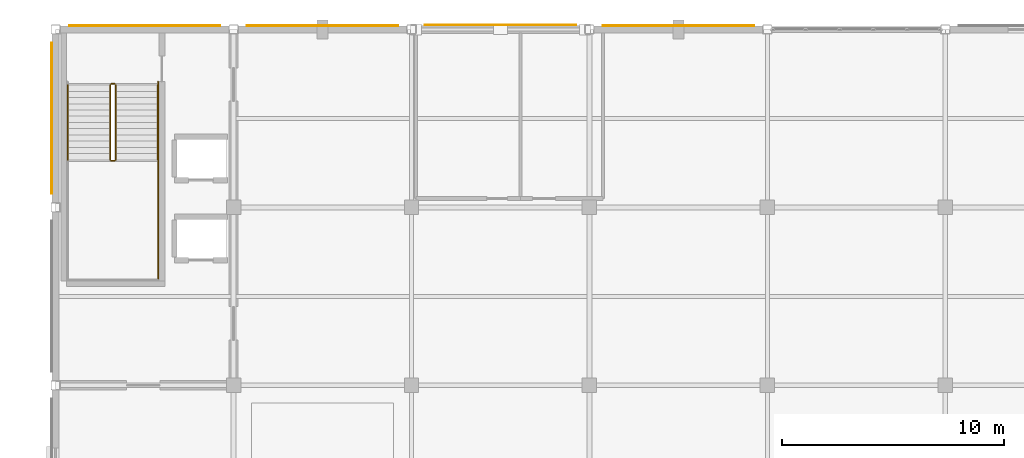
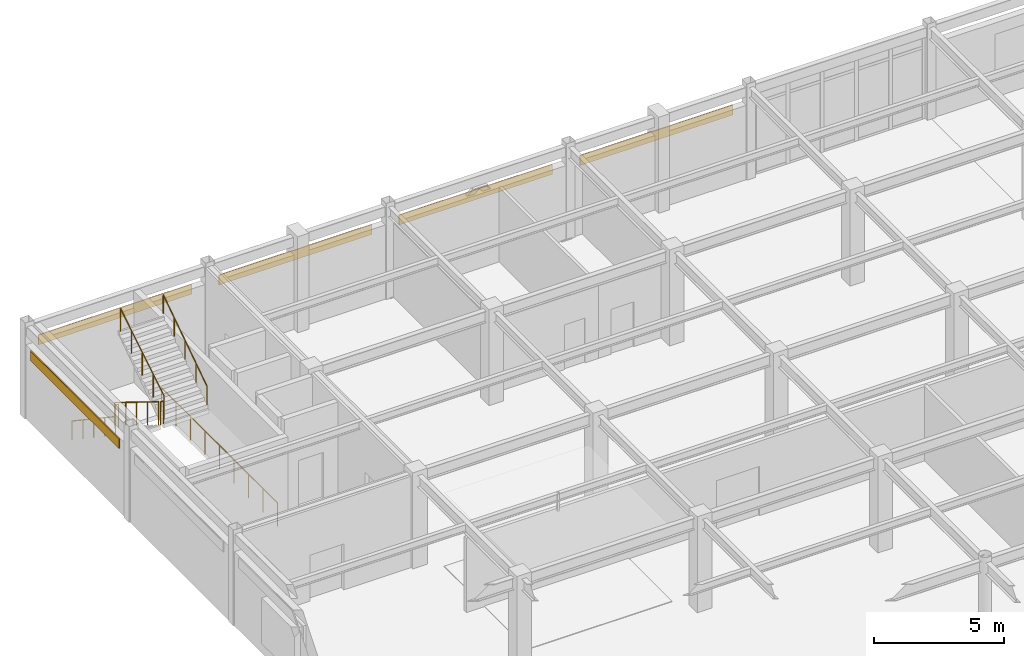
# One storey, part 105 of 111: 7 railings, 5 coverings.
"""IFC4 building model written with IfcOpenShell, lengths in metres."""

from ifc_helpers import new_model, si_unit, direction, frame, origin, origin_2d, place, context, subcontext, project, spatial, rectangle, circle, extrude, material, layer, layer_set, type_object, element, save


model = new_model("IFC4")

# Units and contexts
model_context = context("Model", 3, precision=1e-05, world=origin(), true_north=direction((0.0, 1.0)))
body_context = subcontext(model_context, "Body", "Model", "MODEL_VIEW")
ifc_project = project(units=[si_unit("LENGTHUNIT", "METRE"), si_unit("AREAUNIT", "SQUARE_METRE"), si_unit("VOLUMEUNIT", "CUBIC_METRE"), si_unit("PLANEANGLEUNIT", "RADIAN"), si_unit("MASSUNIT", "GRAM", prefix="KILO")], contexts=[model_context])

# Site, building, storey
site_placement = place(None, origin())
site = spatial("IfcSite", under=ifc_project, at=site_placement, CompositionType="ELEMENT")
building_placement = place(site_placement, origin())
building = spatial("IfcBuilding", under=site, at=building_placement, Name="Solmirada Galleria", CompositionType="ELEMENT")
storey_placement = place(building_placement, frame((0.0, 0.0, 10.39990234375)))
storey = spatial("IfcBuildingStorey", under=building, at=storey_placement, Name="L02", CompositionType="ELEMENT", Elevation=10.39990234375)

# Coverings
ifc_material_1 = material(Name="Limestone cladding panels", Category="masonry")
ifc_layer_1 = layer(ifc_material_1, 0.044921875)
ifc_layer_set_1 = layer_set([ifc_layer_1], Name="Limestone cladding panels")
covering_type_1 = type_object("IfcCoveringType", Name="COV-CLAD-LIME", PredefinedType="CLADDING", material=ifc_layer_set_1)
for number, where, z_axis, x_axis, name in (
    (1, (39.822509765625, 116.0, 2.990234375), (0.0, 0.0, 1.0), (0.0, 1.0, 0.0), "Postmodern facade cladding L02-148"),
    (2, (52.0, 120.177490234375, 2.990234375), (0.0, 0.0, 1.0), (1.0, 0.0, 0.0), "Postmodern facade cladding L02-150"),
    (3, (68.0, 120.177490234375, 2.990234375), (0.0, 0.0, 1.0), (1.0, 0.0, 0.0), "Postmodern facade cladding L02-152"),
):
    element("IfcCovering", number, at=place(storey_placement, frame(where, z_axis=z_axis, x_axis=x_axis)), inside=storey, type_object=covering_type_1, Name=name, PredefinedType="CLADDING", context=body_context, shape_type="SweptSolid", body=[
        extrude(rectangle(XDim=6.7939453125, YDim=0.044921875, at=origin_2d()), origin(), (0.0, 0.0, 1.0), 0.4599609375),
    ])
ifc_material_2 = material(Name="Glazed terracotta facade panels", Category="masonry")
ifc_layer_2 = layer(ifc_material_2, 0.0400390625)
ifc_layer_set_2 = layer_set([ifc_layer_2], Name="Glazed terracotta facade panels")
covering_type_2 = type_object("IfcCoveringType", Name="COV-CLAD-TERRA", PredefinedType="CLADDING", material=ifc_layer_set_2)
for number, where, z_axis, x_axis, name in (
    (4, (44.0, 120.175048828125, 2.990234375), (0.0, 0.0, 1.0), (1.0, 0.0, 0.0), "Postmodern facade cladding L02-149"),
    (5, (60.0, 120.199951171875, 2.990234375), (0.0, 0.0, 1.0), (1.0, 0.0, 0.0), "Postmodern facade cladding L02-151"),
):
    element("IfcCovering", number, at=place(storey_placement, frame(where, z_axis=z_axis, x_axis=x_axis)), inside=storey, type_object=covering_type_2, Name=name, PredefinedType="CLADDING", context=body_context, shape_type="SweptSolid", body=[
        extrude(rectangle(XDim=6.7939453125, YDim=0.0400390625, at=origin_2d()), origin(), (0.0, 0.0, 1.0), 0.4599609375),
    ])

# Railings
ifc_material_3 = material(Name="Painted steel tubular railing", Category="steel")
railing_type_1 = type_object("IfcRailingType", Name="RAIL-STAIR-GUARD", PredefinedType="GUARDRAIL", material=ifc_material_3)
railing_1_placement = place(storey_placement, frame((42.449951171875, 117.5, 0.173095703125)))
element("IfcRailing", 6, at=railing_1_placement, inside=storey, type_object=railing_type_1, Name="L02 ST1 stair guard 1", PredefinedType="GUARDRAIL", context=body_context, shape_type="SweptSolid", body=[
    extrude(circle(Radius=0.02392578125, at=origin_2d()), frame((0.0, 0.0, 1.076171875), z_axis=(0.0, -0.850623216509, 0.525775754039), x_axis=(1.0, 0.0, 0.0)), (0.0, 0.0, 1.0), 3.9501953125),
    extrude(circle(Radius=0.02099609375, at=origin_2d()), origin(), (0.0, 0.0, 1.0), 1.048095703125),
    extrude(circle(Radius=0.02099609375, at=origin_2d()), frame((0.0, -0.840087890625, 0.519287109375)), (0.0, 0.0, 1.0), 1.048095703125),
    extrude(circle(Radius=0.02099609375, at=origin_2d()), frame((0.0, -1.68017578125, 1.03857421875)), (0.0, 0.0, 1.0), 1.048095703125),
    extrude(circle(Radius=0.02099609375, at=origin_2d()), frame((0.0, -2.52001953125, 1.5576171875)), (0.0, 0.0, 1.0), 1.048095703125),
    extrude(circle(Radius=0.02099609375, at=origin_2d()), frame((0.0, -3.360107421875, 2.076904296875)), (0.0, 0.0, 1.0), 1.048095703125),
])
railing_2_placement = place(storey_placement, frame((42.5, 114.090087890625, 2.25)))
element("IfcRailing", 7, at=railing_2_placement, inside=storey, type_object=railing_type_1, Name="L02 ST1 stair guard 2", PredefinedType="GUARDRAIL", context=body_context, shape_type="SweptSolid", body=[
    extrude(circle(Radius=0.02392578125, at=origin_2d()), frame((0.0, 0.0, 1.076171875), z_axis=(1.0, 0.0, 0.0), x_axis=(0.0, 1.0, 0.0)), (0.0, 0.0, 1.0), 0.14990234375),
    extrude(circle(Radius=0.02099609375, at=origin_2d()), origin(), (0.0, 0.0, 1.0), 1.048095703125),
    extrude(circle(Radius=0.02099609375, at=origin_2d()), frame((0.14990234375, 0.0, 0.0)), (0.0, 0.0, 1.0), 1.048095703125),
])
railing_3_placement = place(storey_placement, frame((42.699951171875, 114.139892578125, 2.423095703125)))
element("IfcRailing", 8, at=railing_3_placement, inside=storey, type_object=railing_type_1, Name="L02 ST1 stair guard 3", PredefinedType="GUARDRAIL", context=body_context, shape_type="SweptSolid", body=[
    extrude(circle(Radius=0.02392578125, at=origin_2d()), frame((0.0, 0.0, 1.076171875), z_axis=(0.0, 0.850623216509, 0.525775754039), x_axis=(-1.0, 0.0, 0.0)), (0.0, 0.0, 1.0), 3.9501953125),
    extrude(circle(Radius=0.02099609375, at=origin_2d()), origin(), (0.0, 0.0, 1.0), 1.048095703125),
    extrude(circle(Radius=0.02099609375, at=origin_2d()), frame((0.0, 0.840087890625, 0.519287109375)), (0.0, 0.0, 1.0), 1.048095703125),
    extrude(circle(Radius=0.02099609375, at=origin_2d()), frame((0.0, 1.68017578125, 1.03857421875)), (0.0, 0.0, 1.0), 1.048095703125),
    extrude(circle(Radius=0.02099609375, at=origin_2d()), frame((0.0, 2.52001953125, 1.5576171875)), (0.0, 0.0, 1.0), 1.048095703125),
    extrude(circle(Radius=0.02099609375, at=origin_2d()), frame((0.0, 3.360107421875, 2.076904296875)), (0.0, 0.0, 1.0), 1.048095703125),
])
railing_4_placement = place(storey_placement, frame((42.5, 117.550048828125, 0.0)))
element("IfcRailing", 9, at=railing_4_placement, inside=storey, type_object=railing_type_1, Name="L02 ST1 stair guard 4", PredefinedType="GUARDRAIL", context=body_context, shape_type="SweptSolid", body=[
    extrude(circle(Radius=0.02392578125, at=origin_2d()), frame((0.0, 0.0, 1.076171875), z_axis=(1.0, 0.0, 0.0), x_axis=(0.0, 1.0, 0.0)), (0.0, 0.0, 1.0), 0.14990234375),
    extrude(circle(Radius=0.02099609375, at=origin_2d()), origin(), (0.0, 0.0, 1.0), 1.048095703125),
    extrude(circle(Radius=0.02099609375, at=origin_2d()), frame((0.14990234375, 0.0, 0.0)), (0.0, 0.0, 1.0), 1.048095703125),
])
railing_5_placement = place(storey_placement, frame((44.610107421875, 117.64990234375, 0.0)))
element("IfcRailing", 10, at=railing_5_placement, inside=storey, type_object=railing_type_1, Name="Stair ST1 well edge guard L02-1", PredefinedType="GUARDRAIL", context=body_context, shape_type="SweptSolid", body=[
    extrude(circle(Radius=0.02392578125, at=origin_2d()), frame((0.0, 0.0, 1.09619140625), z_axis=(0.0, -1.0, 0.0), x_axis=(1.0, 0.0, 0.0)), (0.0, 0.0, 1.0), 8.909912109375),
    extrude(circle(Radius=0.02099609375, at=origin_2d()), origin(), (0.0, 0.0, 1.0), 1.068115234375),
    extrude(circle(Radius=0.02099609375, at=origin_2d()), frame((0.0, -1.11376953125, 0.0)), (0.0, 0.0, 1.0), 1.068115234375),
    extrude(circle(Radius=0.02099609375, at=origin_2d()), frame((0.0, -2.2275390625, 0.0)), (0.0, 0.0, 1.0), 1.068115234375),
    extrude(circle(Radius=0.02099609375, at=origin_2d()), frame((0.0, -3.34130859375, 0.0)), (0.0, 0.0, 1.0), 1.068115234375),
    extrude(circle(Radius=0.02099609375, at=origin_2d()), frame((0.0, -4.455078125, 0.0)), (0.0, 0.0, 1.0), 1.068115234375),
    extrude(circle(Radius=0.02099609375, at=origin_2d()), frame((0.0, -5.568603515625, 0.0)), (0.0, 0.0, 1.0), 1.068115234375),
    extrude(circle(Radius=0.02099609375, at=origin_2d()), frame((0.0, -6.682373046875, 0.0)), (0.0, 0.0, 1.0), 1.068115234375),
    extrude(circle(Radius=0.02099609375, at=origin_2d()), frame((0.0, -7.796142578125, 0.0)), (0.0, 0.0, 1.0), 1.068115234375),
    extrude(circle(Radius=0.02099609375, at=origin_2d()), frame((0.0, -8.909912109375, 0.0)), (0.0, 0.0, 1.0), 1.068115234375),
])
railing_type_2 = type_object("IfcRailingType", Name="RAIL-STAIR-HAND", PredefinedType="HANDRAIL", material=ifc_material_3)
railing_6_placement = place(storey_placement, frame((40.550048828125, 117.5, 0.173095703125)))
element("IfcRailing", 11, at=railing_6_placement, inside=storey, type_object=railing_type_2, Name="L02 ST1 stair handrail 1", PredefinedType="HANDRAIL", context=body_context, shape_type="SweptSolid", body=[
    extrude(circle(Radius=0.02392578125, at=origin_2d()), frame((0.0, 0.0, 0.8759765625), z_axis=(0.0, -0.830915400975, 0.556398774641), x_axis=(1.0, 0.0, 0.0)), (0.0, 0.0, 1.0), 4.0439453125),
    extrude(circle(Radius=0.02099609375, at=origin_2d()), origin(), (0.0, 0.0, 1.0), 0.847900390625),
    extrude(circle(Radius=0.02099609375, at=origin_2d()), frame((0.0, -0.840087890625, 0.5625)), (0.0, 0.0, 1.0), 0.847900390625),
    extrude(circle(Radius=0.02099609375, at=origin_2d()), frame((0.0, -1.68017578125, 1.125)), (0.0, 0.0, 1.0), 0.847900390625),
    extrude(circle(Radius=0.02099609375, at=origin_2d()), frame((0.0, -2.52001953125, 1.6875)), (0.0, 0.0, 1.0), 0.847900390625),
    extrude(circle(Radius=0.02099609375, at=origin_2d()), frame((0.0, -3.360107421875, 2.25)), (0.0, 0.0, 1.0), 0.847900390625),
])
railing_7_placement = place(storey_placement, frame((44.60009765625, 114.139892578125, 2.423095703125)))
element("IfcRailing", 12, at=railing_7_placement, inside=storey, type_object=railing_type_2, Name="L02 ST1 stair handrail 2", PredefinedType="HANDRAIL", context=body_context, shape_type="SweptSolid", body=[
    extrude(circle(Radius=0.02392578125, at=origin_2d()), frame((0.0, 0.0, 0.8759765625), z_axis=(0.0, 0.830915400975, 0.556398774641), x_axis=(-1.0, 0.0, 0.0)), (0.0, 0.0, 1.0), 4.0439453125),
    extrude(circle(Radius=0.02099609375, at=origin_2d()), origin(), (0.0, 0.0, 1.0), 0.847900390625),
    extrude(circle(Radius=0.02099609375, at=origin_2d()), frame((0.0, 0.840087890625, 0.5625)), (0.0, 0.0, 1.0), 0.847900390625),
    extrude(circle(Radius=0.02099609375, at=origin_2d()), frame((0.0, 1.68017578125, 1.125)), (0.0, 0.0, 1.0), 0.847900390625),
    extrude(circle(Radius=0.02099609375, at=origin_2d()), frame((0.0, 2.52001953125, 1.6875)), (0.0, 0.0, 1.0), 0.847900390625),
    extrude(circle(Radius=0.02099609375, at=origin_2d()), frame((0.0, 3.360107421875, 2.25)), (0.0, 0.0, 1.0), 0.847900390625),
])

save(model, "model.ifc")
